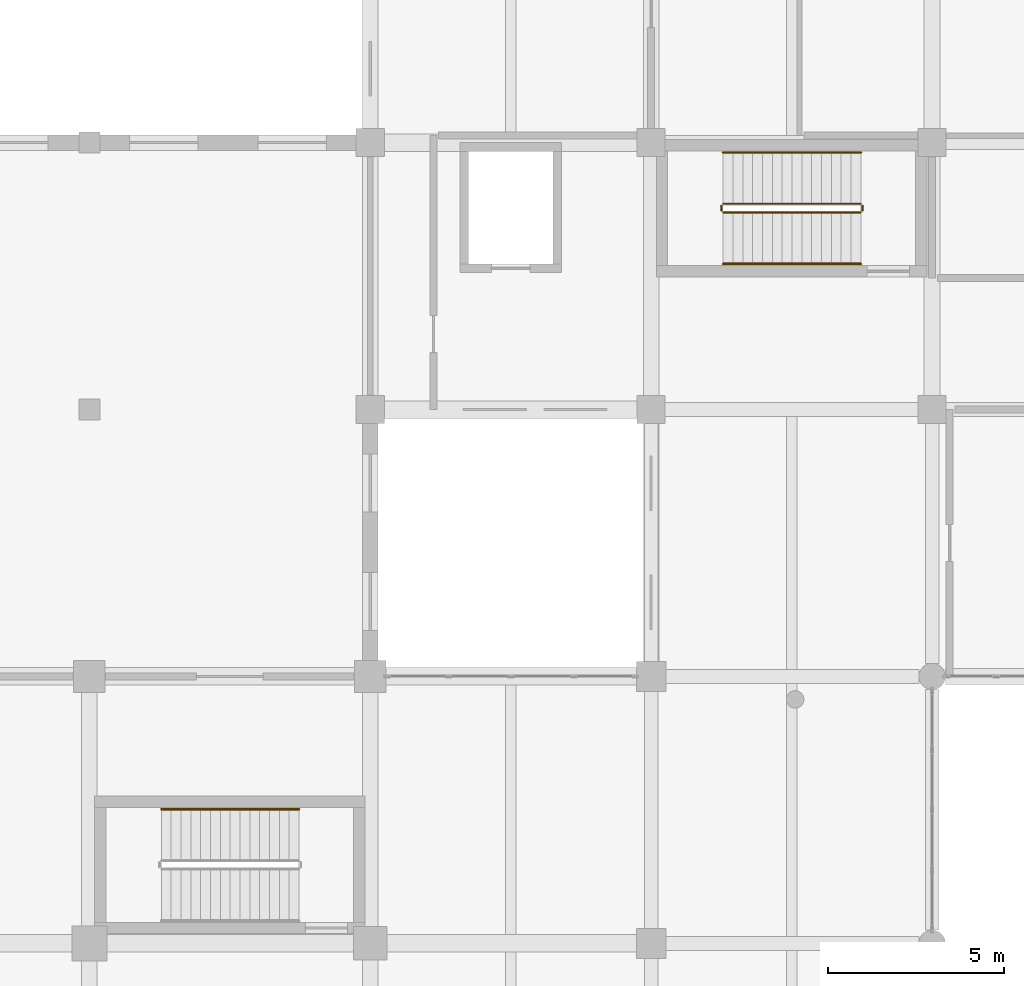
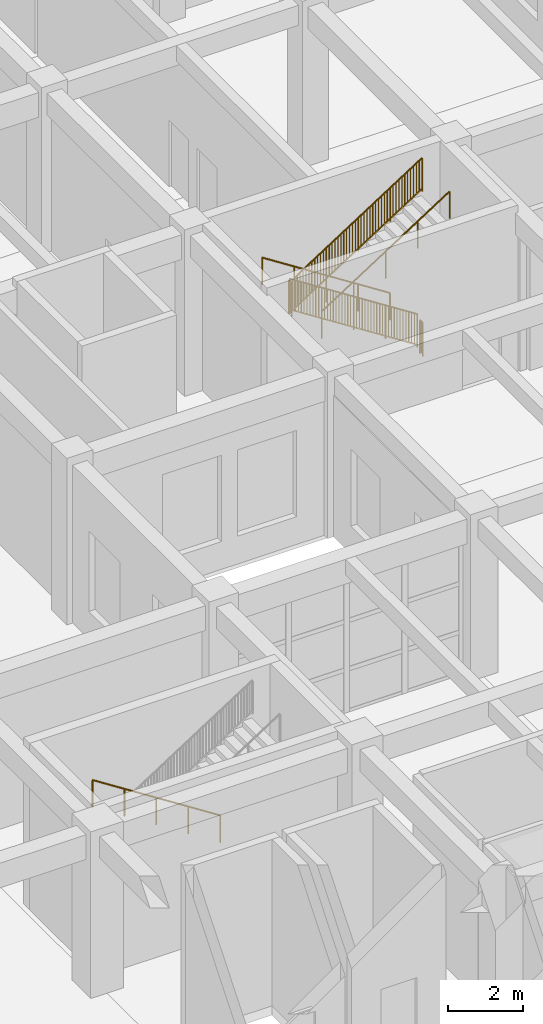
# One storey, part 95 of 95: 7 railings.
"""IFC4 building model written with IfcOpenShell, lengths in metres."""

from ifc_helpers import new_model, si_unit, direction, frame, origin, origin_2d, place, context, subcontext, project, spatial, rectangle, circle, extrude, material, type_object, element, save


model = new_model("IFC4")

# Units and contexts
model_context = context("Model", 3, precision=1e-05, world=origin(), true_north=direction((0.0, 1.0)))
body_context = subcontext(model_context, "Body", "Model", "MODEL_VIEW")
ifc_project = project(units=[si_unit("LENGTHUNIT", "METRE"), si_unit("AREAUNIT", "SQUARE_METRE"), si_unit("VOLUMEUNIT", "CUBIC_METRE"), si_unit("PLANEANGLEUNIT", "RADIAN"), si_unit("MASSUNIT", "GRAM", prefix="KILO")], contexts=[model_context])

# Site, building, storey
site_placement = place(None, origin())
site = spatial("IfcSite", under=ifc_project, at=site_placement, CompositionType="ELEMENT")
building_placement = place(site_placement, origin())
building = spatial("IfcBuilding", under=site, at=building_placement, Name="Zantavel Square City Hall", CompositionType="ELEMENT")
storey_placement = place(building_placement, origin())
storey = spatial("IfcBuildingStorey", under=building, at=storey_placement, Name="L01", CompositionType="ELEMENT", Elevation=0.0)

# Railings
ifc_material_1 = material(Name="Steel ASTM A500 Grade B", Category="steel")
railing_type_1 = type_object("IfcRailingType", Name="Atrium & Gallery Steel Guard Railing 1100mm", PredefinedType="GUARDRAIL", material=ifc_material_1)
railing_1_placement = place(storey_placement, frame((117.969970703125, 81.860107421875, 0.179931640625)))
element("IfcRailing", 1, at=railing_1_placement, inside=storey, type_object=railing_type_1, Name="L01 ST2 stair guard 1", PredefinedType="GUARDRAIL", context=body_context, shape_type="SweptSolid", body=[
    extrude(circle(Radius=0.02392578125, at=origin_2d()), frame((0.0, 0.0, 1.076171875), z_axis=(-0.841171666519, 0.0, 0.540768182723), x_axis=(0.0, -1.0, 0.0)), (0.0, 0.0, 1.0), 4.66015625),
    extrude(rectangle(XDim=0.031982421875, YDim=0.031982421875, at=origin_2d()), frame((0.0, 0.0, 0.080078125), z_axis=(-0.841171666519, 0.0, 0.540768182723), x_axis=(0.0, -1.0, 0.0)), (0.0, 0.0, 1.0), 4.66015625),
    extrude(rectangle(XDim=0.02197265625, YDim=0.02197265625, at=origin_2d()), frame((-0.089111328125, 0.0, 0.13720703125)), (0.0, 0.0, 1.0), 0.971923828125),
    extrude(rectangle(XDim=0.02197265625, YDim=0.02197265625, at=origin_2d()), frame((-0.17822265625, 0.0, 0.194580078125)), (0.0, 0.0, 1.0), 0.971923828125),
    extrude(rectangle(XDim=0.02197265625, YDim=0.02197265625, at=origin_2d()), frame((-0.267333984375, 0.0, 0.251708984375)), (0.0, 0.0, 1.0), 0.971923828125),
    extrude(rectangle(XDim=0.02197265625, YDim=0.02197265625, at=origin_2d()), frame((-0.3564453125, 0.0, 0.30908203125)), (0.0, 0.0, 1.0), 0.971923828125),
    extrude(rectangle(XDim=0.02197265625, YDim=0.02197265625, at=origin_2d()), frame((-0.445556640625, 0.0, 0.366455078125)), (0.0, 0.0, 1.0), 0.971923828125),
    extrude(rectangle(XDim=0.02197265625, YDim=0.02197265625, at=origin_2d()), frame((-0.534423828125, 0.0, 0.423583984375)), (0.0, 0.0, 1.0), 0.971923828125),
    extrude(rectangle(XDim=0.02197265625, YDim=0.02197265625, at=origin_2d()), frame((-0.62353515625, 0.0, 0.48095703125)), (0.0, 0.0, 1.0), 0.971923828125),
    extrude(rectangle(XDim=0.02197265625, YDim=0.02197265625, at=origin_2d()), frame((-0.712646484375, 0.0, 0.5380859375)), (0.0, 0.0, 1.0), 0.971923828125),
    extrude(rectangle(XDim=0.02197265625, YDim=0.02197265625, at=origin_2d()), frame((-0.8017578125, 0.0, 0.595458984375)), (0.0, 0.0, 1.0), 0.971923828125),
    extrude(rectangle(XDim=0.02197265625, YDim=0.02197265625, at=origin_2d()), frame((-0.890869140625, 0.0, 0.65283203125)), (0.0, 0.0, 1.0), 0.971923828125),
    extrude(rectangle(XDim=0.02197265625, YDim=0.02197265625, at=origin_2d()), frame((-1.069091796875, 0.0, 0.767333984375)), (0.0, 0.0, 1.0), 0.971923828125),
    extrude(rectangle(XDim=0.02197265625, YDim=0.02197265625, at=origin_2d()), frame((-1.158203125, 0.0, 0.824462890625)), (0.0, 0.0, 1.0), 0.971923828125),
    extrude(rectangle(XDim=0.02197265625, YDim=0.02197265625, at=origin_2d()), frame((-1.247314453125, 0.0, 0.8818359375)), (0.0, 0.0, 1.0), 0.971923828125),
    extrude(rectangle(XDim=0.02197265625, YDim=0.02197265625, at=origin_2d()), frame((-1.33642578125, 0.0, 0.939208984375)), (0.0, 0.0, 1.0), 0.971923828125),
    extrude(rectangle(XDim=0.02197265625, YDim=0.02197265625, at=origin_2d()), frame((-1.425537109375, 0.0, 0.996337890625)), (0.0, 0.0, 1.0), 0.971923828125),
    extrude(rectangle(XDim=0.02197265625, YDim=0.02197265625, at=origin_2d()), frame((-1.514404296875, 0.0, 1.0537109375)), (0.0, 0.0, 1.0), 0.971923828125),
    extrude(rectangle(XDim=0.02197265625, YDim=0.02197265625, at=origin_2d()), frame((-1.603515625, 0.0, 1.11083984375)), (0.0, 0.0, 1.0), 0.971923828125),
    extrude(rectangle(XDim=0.02197265625, YDim=0.02197265625, at=origin_2d()), frame((-1.692626953125, 0.0, 1.168212890625)), (0.0, 0.0, 1.0), 0.971923828125),
    extrude(rectangle(XDim=0.02197265625, YDim=0.02197265625, at=origin_2d()), frame((-1.78173828125, 0.0, 1.225341796875)), (0.0, 0.0, 1.0), 0.971923828125),
    extrude(rectangle(XDim=0.02197265625, YDim=0.02197265625, at=origin_2d()), frame((-1.870849609375, 0.0, 1.28271484375)), (0.0, 0.0, 1.0), 0.971923828125),
    extrude(rectangle(XDim=0.02197265625, YDim=0.02197265625, at=origin_2d()), frame((-2.049072265625, 0.0, 1.397216796875)), (0.0, 0.0, 1.0), 0.971923828125),
    extrude(rectangle(XDim=0.02197265625, YDim=0.02197265625, at=origin_2d()), frame((-2.13818359375, 0.0, 1.45458984375)), (0.0, 0.0, 1.0), 0.971923828125),
    extrude(rectangle(XDim=0.02197265625, YDim=0.02197265625, at=origin_2d()), frame((-2.227294921875, 0.0, 1.51171875)), (0.0, 0.0, 1.0), 0.971923828125),
    extrude(rectangle(XDim=0.02197265625, YDim=0.02197265625, at=origin_2d()), frame((-2.31640625, 0.0, 1.569091796875)), (0.0, 0.0, 1.0), 0.971923828125),
    extrude(rectangle(XDim=0.02197265625, YDim=0.02197265625, at=origin_2d()), frame((-2.405517578125, 0.0, 1.62646484375)), (0.0, 0.0, 1.0), 0.971923828125),
    extrude(rectangle(XDim=0.02197265625, YDim=0.02197265625, at=origin_2d()), frame((-2.494384765625, 0.0, 1.68359375)), (0.0, 0.0, 1.0), 0.971923828125),
    extrude(rectangle(XDim=0.02197265625, YDim=0.02197265625, at=origin_2d()), frame((-2.58349609375, 0.0, 1.740966796875)), (0.0, 0.0, 1.0), 0.971923828125),
    extrude(rectangle(XDim=0.02197265625, YDim=0.02197265625, at=origin_2d()), frame((-2.672607421875, 0.0, 1.798095703125)), (0.0, 0.0, 1.0), 0.971923828125),
    extrude(rectangle(XDim=0.02197265625, YDim=0.02197265625, at=origin_2d()), frame((-2.76171875, 0.0, 1.85546875)), (0.0, 0.0, 1.0), 0.971923828125),
    extrude(rectangle(XDim=0.02197265625, YDim=0.02197265625, at=origin_2d()), frame((-2.850830078125, 0.0, 1.912841796875)), (0.0, 0.0, 1.0), 0.971923828125),
    extrude(rectangle(XDim=0.02197265625, YDim=0.02197265625, at=origin_2d()), frame((-3.029052734375, 0.0, 2.02734375)), (0.0, 0.0, 1.0), 0.971923828125),
    extrude(rectangle(XDim=0.02197265625, YDim=0.02197265625, at=origin_2d()), frame((-3.1181640625, 0.0, 2.08447265625)), (0.0, 0.0, 1.0), 0.971923828125),
    extrude(rectangle(XDim=0.02197265625, YDim=0.02197265625, at=origin_2d()), frame((-3.207275390625, 0.0, 2.141845703125)), (0.0, 0.0, 1.0), 0.971923828125),
    extrude(rectangle(XDim=0.02197265625, YDim=0.02197265625, at=origin_2d()), frame((-3.29638671875, 0.0, 2.19921875)), (0.0, 0.0, 1.0), 0.971923828125),
    extrude(rectangle(XDim=0.02197265625, YDim=0.02197265625, at=origin_2d()), frame((-3.385498046875, 0.0, 2.25634765625)), (0.0, 0.0, 1.0), 0.971923828125),
    extrude(rectangle(XDim=0.02197265625, YDim=0.02197265625, at=origin_2d()), frame((-3.474365234375, 0.0, 2.313720703125)), (0.0, 0.0, 1.0), 0.971923828125),
    extrude(rectangle(XDim=0.02197265625, YDim=0.02197265625, at=origin_2d()), frame((-3.5634765625, 0.0, 2.370849609375)), (0.0, 0.0, 1.0), 0.971923828125),
    extrude(rectangle(XDim=0.02197265625, YDim=0.02197265625, at=origin_2d()), frame((-3.652587890625, 0.0, 2.42822265625)), (0.0, 0.0, 1.0), 0.971923828125),
    extrude(rectangle(XDim=0.02197265625, YDim=0.02197265625, at=origin_2d()), frame((-3.74169921875, 0.0, 2.4853515625)), (0.0, 0.0, 1.0), 0.971923828125),
    extrude(rectangle(XDim=0.02197265625, YDim=0.02197265625, at=origin_2d()), frame((-3.830810546875, 0.0, 2.542724609375)), (0.0, 0.0, 1.0), 0.971923828125),
    extrude(circle(Radius=0.02099609375, at=origin_2d()), origin(), (0.0, 0.0, 1.0), 1.052001953125),
    extrude(circle(Radius=0.02099609375, at=origin_2d()), frame((-0.97998046875, 0.0, 0.6298828125)), (0.0, 0.0, 1.0), 1.052001953125),
    extrude(circle(Radius=0.02099609375, at=origin_2d()), frame((-1.9599609375, 0.0, 1.260009765625)), (0.0, 0.0, 1.0), 1.052001953125),
    extrude(circle(Radius=0.02099609375, at=origin_2d()), frame((-2.93994140625, 0.0, 1.89013671875)), (0.0, 0.0, 1.0), 1.052001953125),
    extrude(circle(Radius=0.02099609375, at=origin_2d()), frame((-3.919921875, 0.0, 2.52001953125)), (0.0, 0.0, 1.0), 1.052001953125),
])
railing_2_placement = place(storey_placement, frame((114.0, 81.81005859375, 2.699951171875)))
element("IfcRailing", 2, at=railing_2_placement, inside=storey, type_object=railing_type_1, Name="L01 ST2 stair guard 2", PredefinedType="GUARDRAIL", context=body_context, shape_type="SweptSolid", body=[
    extrude(circle(Radius=0.02392578125, at=origin_2d()), frame((0.0, 0.0, 1.076171875), z_axis=(0.0, -1.0, 0.0), x_axis=(1.0, 0.0, 0.0)), (0.0, 0.0, 1.0), 0.150146484375),
    extrude(rectangle(XDim=0.031982421875, YDim=0.031982421875, at=origin_2d()), frame((0.0, 0.0, 0.080078125), z_axis=(0.0, -1.0, 0.0), x_axis=(1.0, 0.0, 0.0)), (0.0, 0.0, 1.0), 0.150146484375),
    extrude(rectangle(XDim=0.02197265625, YDim=0.02197265625, at=origin_2d()), frame((0.0, -0.0751953125, 0.080078125)), (0.0, 0.0, 1.0), 0.971923828125),
    extrude(circle(Radius=0.02099609375, at=origin_2d()), origin(), (0.0, 0.0, 1.0), 1.052001953125),
    extrude(circle(Radius=0.02099609375, at=origin_2d()), frame((0.0, -0.150146484375, 0.0)), (0.0, 0.0, 1.0), 1.052001953125),
])
railing_3_placement = place(storey_placement, frame((114.050048828125, 81.610107421875, 2.8798828125)))
element("IfcRailing", 3, at=railing_3_placement, inside=storey, type_object=railing_type_1, Name="L01 ST2 stair guard 3", PredefinedType="GUARDRAIL", context=body_context, shape_type="SweptSolid", body=[
    extrude(circle(Radius=0.02392578125, at=origin_2d()), frame((0.0, 0.0, 1.076171875), z_axis=(0.841171666519, 0.0, 0.540768182723), x_axis=(0.0, 1.0, 0.0)), (0.0, 0.0, 1.0), 4.66015625),
    extrude(rectangle(XDim=0.031982421875, YDim=0.031982421875, at=origin_2d()), frame((0.0, 0.0, 0.080078125), z_axis=(0.841171666519, 0.0, 0.540768182723), x_axis=(0.0, 1.0, 0.0)), (0.0, 0.0, 1.0), 4.66015625),
    extrude(rectangle(XDim=0.02197265625, YDim=0.02197265625, at=origin_2d()), frame((0.089111328125, 0.0, 0.13720703125)), (0.0, 0.0, 1.0), 0.971923828125),
    extrude(rectangle(XDim=0.02197265625, YDim=0.02197265625, at=origin_2d()), frame((0.17822265625, 0.0, 0.194580078125)), (0.0, 0.0, 1.0), 0.971923828125),
    extrude(rectangle(XDim=0.02197265625, YDim=0.02197265625, at=origin_2d()), frame((0.267333984375, 0.0, 0.251708984375)), (0.0, 0.0, 1.0), 0.971923828125),
    extrude(rectangle(XDim=0.02197265625, YDim=0.02197265625, at=origin_2d()), frame((0.3564453125, 0.0, 0.30908203125)), (0.0, 0.0, 1.0), 0.971923828125),
    extrude(rectangle(XDim=0.02197265625, YDim=0.02197265625, at=origin_2d()), frame((0.445556640625, 0.0, 0.366455078125)), (0.0, 0.0, 1.0), 0.971923828125),
    extrude(rectangle(XDim=0.02197265625, YDim=0.02197265625, at=origin_2d()), frame((0.534423828125, 0.0, 0.423583984375)), (0.0, 0.0, 1.0), 0.971923828125),
    extrude(rectangle(XDim=0.02197265625, YDim=0.02197265625, at=origin_2d()), frame((0.62353515625, 0.0, 0.48095703125)), (0.0, 0.0, 1.0), 0.971923828125),
    extrude(rectangle(XDim=0.02197265625, YDim=0.02197265625, at=origin_2d()), frame((0.712646484375, 0.0, 0.5380859375)), (0.0, 0.0, 1.0), 0.971923828125),
    extrude(rectangle(XDim=0.02197265625, YDim=0.02197265625, at=origin_2d()), frame((0.8017578125, 0.0, 0.595458984375)), (0.0, 0.0, 1.0), 0.971923828125),
    extrude(rectangle(XDim=0.02197265625, YDim=0.02197265625, at=origin_2d()), frame((0.890869140625, 0.0, 0.65283203125)), (0.0, 0.0, 1.0), 0.971923828125),
    extrude(rectangle(XDim=0.02197265625, YDim=0.02197265625, at=origin_2d()), frame((1.069091796875, 0.0, 0.767333984375)), (0.0, 0.0, 1.0), 0.971923828125),
    extrude(rectangle(XDim=0.02197265625, YDim=0.02197265625, at=origin_2d()), frame((1.158203125, 0.0, 0.824462890625)), (0.0, 0.0, 1.0), 0.971923828125),
    extrude(rectangle(XDim=0.02197265625, YDim=0.02197265625, at=origin_2d()), frame((1.247314453125, 0.0, 0.8818359375)), (0.0, 0.0, 1.0), 0.971923828125),
    extrude(rectangle(XDim=0.02197265625, YDim=0.02197265625, at=origin_2d()), frame((1.33642578125, 0.0, 0.939208984375)), (0.0, 0.0, 1.0), 0.971923828125),
    extrude(rectangle(XDim=0.02197265625, YDim=0.02197265625, at=origin_2d()), frame((1.425537109375, 0.0, 0.996337890625)), (0.0, 0.0, 1.0), 0.971923828125),
    extrude(rectangle(XDim=0.02197265625, YDim=0.02197265625, at=origin_2d()), frame((1.514404296875, 0.0, 1.0537109375)), (0.0, 0.0, 1.0), 0.971923828125),
    extrude(rectangle(XDim=0.02197265625, YDim=0.02197265625, at=origin_2d()), frame((1.603515625, 0.0, 1.11083984375)), (0.0, 0.0, 1.0), 0.971923828125),
    extrude(rectangle(XDim=0.02197265625, YDim=0.02197265625, at=origin_2d()), frame((1.692626953125, 0.0, 1.168212890625)), (0.0, 0.0, 1.0), 0.971923828125),
    extrude(rectangle(XDim=0.02197265625, YDim=0.02197265625, at=origin_2d()), frame((1.78173828125, 0.0, 1.225341796875)), (0.0, 0.0, 1.0), 0.971923828125),
    extrude(rectangle(XDim=0.02197265625, YDim=0.02197265625, at=origin_2d()), frame((1.870849609375, 0.0, 1.28271484375)), (0.0, 0.0, 1.0), 0.971923828125),
    extrude(rectangle(XDim=0.02197265625, YDim=0.02197265625, at=origin_2d()), frame((2.049072265625, 0.0, 1.397216796875)), (0.0, 0.0, 1.0), 0.971923828125),
    extrude(rectangle(XDim=0.02197265625, YDim=0.02197265625, at=origin_2d()), frame((2.13818359375, 0.0, 1.45458984375)), (0.0, 0.0, 1.0), 0.971923828125),
    extrude(rectangle(XDim=0.02197265625, YDim=0.02197265625, at=origin_2d()), frame((2.227294921875, 0.0, 1.51171875)), (0.0, 0.0, 1.0), 0.971923828125),
    extrude(rectangle(XDim=0.02197265625, YDim=0.02197265625, at=origin_2d()), frame((2.31640625, 0.0, 1.569091796875)), (0.0, 0.0, 1.0), 0.971923828125),
    extrude(rectangle(XDim=0.02197265625, YDim=0.02197265625, at=origin_2d()), frame((2.405517578125, 0.0, 1.62646484375)), (0.0, 0.0, 1.0), 0.971923828125),
    extrude(rectangle(XDim=0.02197265625, YDim=0.02197265625, at=origin_2d()), frame((2.494384765625, 0.0, 1.68359375)), (0.0, 0.0, 1.0), 0.971923828125),
    extrude(rectangle(XDim=0.02197265625, YDim=0.02197265625, at=origin_2d()), frame((2.58349609375, 0.0, 1.740966796875)), (0.0, 0.0, 1.0), 0.971923828125),
    extrude(rectangle(XDim=0.02197265625, YDim=0.02197265625, at=origin_2d()), frame((2.672607421875, 0.0, 1.798095703125)), (0.0, 0.0, 1.0), 0.971923828125),
    extrude(rectangle(XDim=0.02197265625, YDim=0.02197265625, at=origin_2d()), frame((2.76171875, 0.0, 1.85546875)), (0.0, 0.0, 1.0), 0.971923828125),
    extrude(rectangle(XDim=0.02197265625, YDim=0.02197265625, at=origin_2d()), frame((2.850830078125, 0.0, 1.912841796875)), (0.0, 0.0, 1.0), 0.971923828125),
    extrude(rectangle(XDim=0.02197265625, YDim=0.02197265625, at=origin_2d()), frame((3.029052734375, 0.0, 2.02734375)), (0.0, 0.0, 1.0), 0.971923828125),
    extrude(rectangle(XDim=0.02197265625, YDim=0.02197265625, at=origin_2d()), frame((3.1181640625, 0.0, 2.08447265625)), (0.0, 0.0, 1.0), 0.971923828125),
    extrude(rectangle(XDim=0.02197265625, YDim=0.02197265625, at=origin_2d()), frame((3.207275390625, 0.0, 2.141845703125)), (0.0, 0.0, 1.0), 0.971923828125),
    extrude(rectangle(XDim=0.02197265625, YDim=0.02197265625, at=origin_2d()), frame((3.29638671875, 0.0, 2.19921875)), (0.0, 0.0, 1.0), 0.971923828125),
    extrude(rectangle(XDim=0.02197265625, YDim=0.02197265625, at=origin_2d()), frame((3.385498046875, 0.0, 2.25634765625)), (0.0, 0.0, 1.0), 0.971923828125),
    extrude(rectangle(XDim=0.02197265625, YDim=0.02197265625, at=origin_2d()), frame((3.474365234375, 0.0, 2.313720703125)), (0.0, 0.0, 1.0), 0.971923828125),
    extrude(rectangle(XDim=0.02197265625, YDim=0.02197265625, at=origin_2d()), frame((3.5634765625, 0.0, 2.370849609375)), (0.0, 0.0, 1.0), 0.971923828125),
    extrude(rectangle(XDim=0.02197265625, YDim=0.02197265625, at=origin_2d()), frame((3.652587890625, 0.0, 2.42822265625)), (0.0, 0.0, 1.0), 0.971923828125),
    extrude(rectangle(XDim=0.02197265625, YDim=0.02197265625, at=origin_2d()), frame((3.74169921875, 0.0, 2.4853515625)), (0.0, 0.0, 1.0), 0.971923828125),
    extrude(rectangle(XDim=0.02197265625, YDim=0.02197265625, at=origin_2d()), frame((3.830810546875, 0.0, 2.542724609375)), (0.0, 0.0, 1.0), 0.971923828125),
    extrude(circle(Radius=0.02099609375, at=origin_2d()), origin(), (0.0, 0.0, 1.0), 1.052001953125),
    extrude(circle(Radius=0.02099609375, at=origin_2d()), frame((0.97998046875, 0.0, 0.6298828125)), (0.0, 0.0, 1.0), 1.052001953125),
    extrude(circle(Radius=0.02099609375, at=origin_2d()), frame((1.9599609375, 0.0, 1.260009765625)), (0.0, 0.0, 1.0), 1.052001953125),
    extrude(circle(Radius=0.02099609375, at=origin_2d()), frame((2.93994140625, 0.0, 1.89013671875)), (0.0, 0.0, 1.0), 1.052001953125),
    extrude(circle(Radius=0.02099609375, at=origin_2d()), frame((3.919921875, 0.0, 2.52001953125)), (0.0, 0.0, 1.0), 1.052001953125),
])
railing_4_placement = place(storey_placement, frame((118.02001953125, 81.81005859375, 0.0)))
element("IfcRailing", 4, at=railing_4_placement, inside=storey, type_object=railing_type_1, Name="L01 ST2 stair guard 4", PredefinedType="GUARDRAIL", context=body_context, shape_type="SweptSolid", body=[
    extrude(circle(Radius=0.02392578125, at=origin_2d()), frame((0.0, 0.0, 1.076171875), z_axis=(0.0, -1.0, 0.0), x_axis=(1.0, 0.0, 0.0)), (0.0, 0.0, 1.0), 0.150146484375),
    extrude(rectangle(XDim=0.031982421875, YDim=0.031982421875, at=origin_2d()), frame((0.0, 0.0, 0.080078125), z_axis=(0.0, -1.0, 0.0), x_axis=(1.0, 0.0, 0.0)), (0.0, 0.0, 1.0), 0.150146484375),
    extrude(rectangle(XDim=0.02197265625, YDim=0.02197265625, at=origin_2d()), frame((0.0, -0.0751953125, 0.080078125)), (0.0, 0.0, 1.0), 0.971923828125),
    extrude(circle(Radius=0.02099609375, at=origin_2d()), origin(), (0.0, 0.0, 1.0), 1.052001953125),
    extrude(circle(Radius=0.02099609375, at=origin_2d()), frame((0.0, -0.150146484375, 0.0)), (0.0, 0.0, 1.0), 1.052001953125),
])
ifc_material_2 = material(Name="Stainless steel 316", Category="steel")
railing_type_2 = type_object("IfcRailingType", Name="Stair Stainless Steel Handrail 900mm", PredefinedType="HANDRAIL", material=ifc_material_2)
railing_5_placement = place(storey_placement, frame((117.969970703125, 83.320068359375, 0.179931640625)))
element("IfcRailing", 5, at=railing_5_placement, inside=storey, type_object=railing_type_2, Name="L01 ST2 stair handrail 1", PredefinedType="HANDRAIL", context=body_context, shape_type="SweptSolid", body=[
    extrude(circle(Radius=0.02392578125, at=origin_2d()), frame((0.0, 0.0, 0.8759765625), z_axis=(-0.841171666519, 0.0, 0.540768182723), x_axis=(0.0, -1.0, 0.0)), (0.0, 0.0, 1.0), 4.66015625),
    extrude(circle(Radius=0.02099609375, at=origin_2d()), origin(), (0.0, 0.0, 1.0), 0.851806640625),
    extrude(circle(Radius=0.02099609375, at=origin_2d()), frame((-0.97998046875, 0.0, 0.6298828125)), (0.0, 0.0, 1.0), 0.851806640625),
    extrude(circle(Radius=0.02099609375, at=origin_2d()), frame((-1.9599609375, 0.0, 1.260009765625)), (0.0, 0.0, 1.0), 0.851806640625),
    extrude(circle(Radius=0.02099609375, at=origin_2d()), frame((-2.93994140625, 0.0, 1.89013671875)), (0.0, 0.0, 1.0), 0.851806640625),
    extrude(circle(Radius=0.02099609375, at=origin_2d()), frame((-3.919921875, 0.0, 2.52001953125)), (0.0, 0.0, 1.0), 0.851806640625),
])
railing_6_placement = place(storey_placement, frame((114.050048828125, 80.14990234375, 2.8798828125)))
element("IfcRailing", 6, at=railing_6_placement, inside=storey, type_object=railing_type_2, Name="L01 ST2 stair handrail 2", PredefinedType="HANDRAIL", context=body_context, shape_type="SweptSolid", body=[
    extrude(circle(Radius=0.02392578125, at=origin_2d()), frame((0.0, 0.0, 0.8759765625), z_axis=(0.841171666519, 0.0, 0.540768182723), x_axis=(0.0, 1.0, 0.0)), (0.0, 0.0, 1.0), 4.66015625),
    extrude(circle(Radius=0.02099609375, at=origin_2d()), origin(), (0.0, 0.0, 1.0), 0.851806640625),
    extrude(circle(Radius=0.02099609375, at=origin_2d()), frame((0.97998046875, 0.0, 0.6298828125)), (0.0, 0.0, 1.0), 0.851806640625),
    extrude(circle(Radius=0.02099609375, at=origin_2d()), frame((1.9599609375, 0.0, 1.260009765625)), (0.0, 0.0, 1.0), 0.851806640625),
    extrude(circle(Radius=0.02099609375, at=origin_2d()), frame((2.93994140625, 0.0, 1.89013671875)), (0.0, 0.0, 1.0), 0.851806640625),
    extrude(circle(Radius=0.02099609375, at=origin_2d()), frame((3.919921875, 0.0, 2.52001953125)), (0.0, 0.0, 1.0), 0.851806640625),
])
railing_7_placement = place(storey_placement, frame((101.969970703125, 64.6201171875, 0.179931640625)))
element("IfcRailing", 7, at=railing_7_placement, inside=storey, type_object=railing_type_2, Name="L01 ST6 stair handrail 1", PredefinedType="HANDRAIL", context=body_context, shape_type="SweptSolid", body=[
    extrude(circle(Radius=0.02392578125, at=origin_2d()), frame((0.0, 0.0, 0.8759765625), z_axis=(-0.841171666519, 0.0, 0.540768182723), x_axis=(0.0, -1.0, 0.0)), (0.0, 0.0, 1.0), 4.66015625),
    extrude(circle(Radius=0.02099609375, at=origin_2d()), origin(), (0.0, 0.0, 1.0), 0.851806640625),
    extrude(circle(Radius=0.02099609375, at=origin_2d()), frame((-0.97998046875, 0.0, 0.6298828125)), (0.0, 0.0, 1.0), 0.851806640625),
    extrude(circle(Radius=0.02099609375, at=origin_2d()), frame((-1.9599609375, 0.0, 1.260009765625)), (0.0, 0.0, 1.0), 0.851806640625),
    extrude(circle(Radius=0.02099609375, at=origin_2d()), frame((-2.93994140625, 0.0, 1.89013671875)), (0.0, 0.0, 1.0), 0.851806640625),
    extrude(circle(Radius=0.02099609375, at=origin_2d()), frame((-3.919921875, 0.0, 2.52001953125)), (0.0, 0.0, 1.0), 0.851806640625),
])

save(model, "model.ifc")
